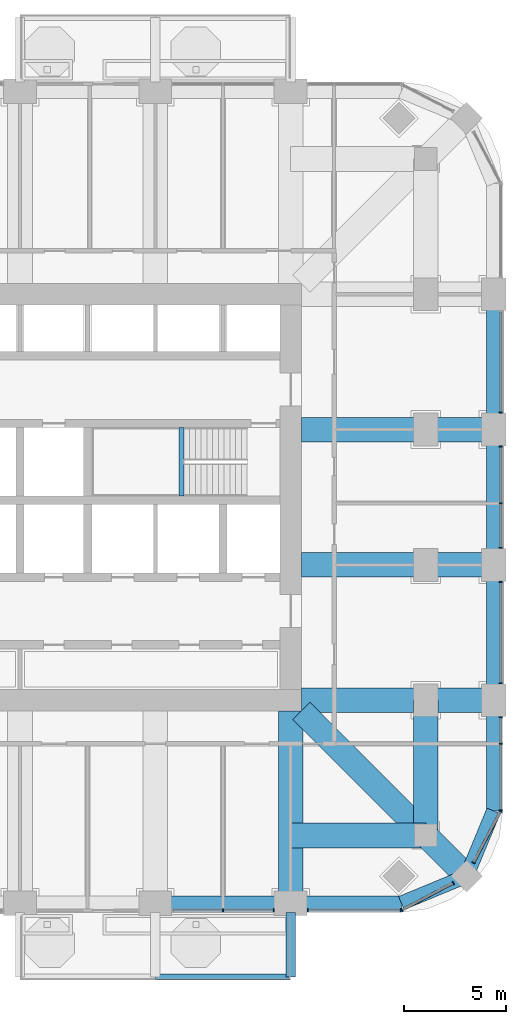
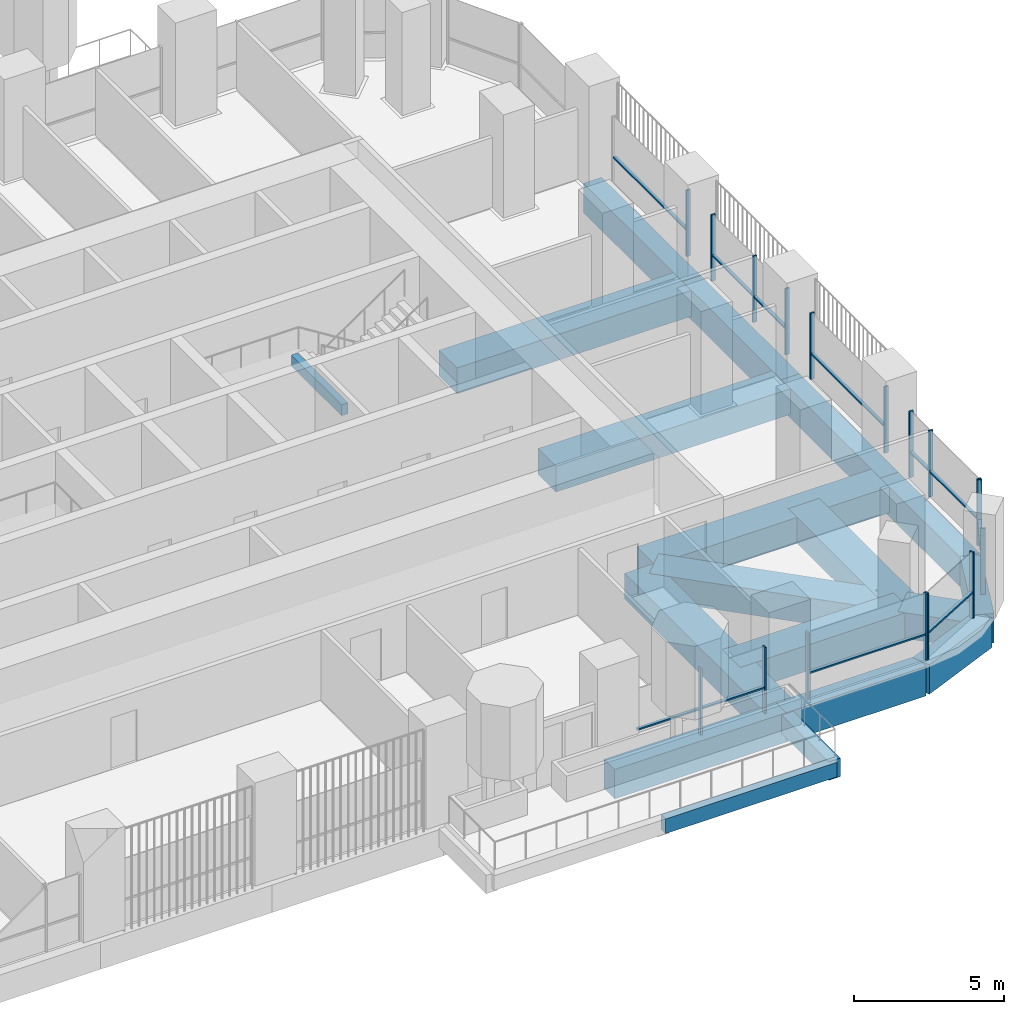
# One storey, part 5 of 19: 28 members, 19 beams, 8 elements without a shape of their own.
"""IFC4 building model written with IfcOpenShell, lengths in metres."""

from ifc_helpers import new_model, si_unit, direction, frame, origin, origin_2d, place, context, subcontext, project, spatial, rectangle, extrude, material, material_profile, profile_set, type_object, element, aggregate, save


model = new_model("IFC4")

# Units and contexts
model_context = context("Model", 3, precision=1e-05, world=origin(), true_north=direction((0.0, 1.0)))
body_context = subcontext(model_context, "Body", "Model", "MODEL_VIEW")
ifc_project = project(units=[si_unit("LENGTHUNIT", "METRE"), si_unit("AREAUNIT", "SQUARE_METRE"), si_unit("VOLUMEUNIT", "CUBIC_METRE"), si_unit("PLANEANGLEUNIT", "RADIAN"), si_unit("MASSUNIT", "GRAM", prefix="KILO")], contexts=[model_context])

# Site, building, storey
site_placement = place(None, origin())
site = spatial("IfcSite", under=ifc_project, at=site_placement, CompositionType="ELEMENT")
building_placement = place(site_placement, origin())
building = spatial("IfcBuilding", under=site, at=building_placement, Name="Cobogo Forest Laboratory Tower", CompositionType="ELEMENT")
storey_placement = place(building_placement, frame((0.0, 0.0, 172.5)))
storey = spatial("IfcBuildingStorey", under=building, at=storey_placement, Name="L39", CompositionType="ELEMENT", Elevation=172.5)

# Beams
ifc_material_1 = material(Name="Concrete HA-40 (C40/50)", Category="concrete")
ifc_material_profile_1 = material_profile(ifc_material_1, rectangle(XDim=0.449951171875, YDim=0.75, at=origin_2d()), Name="RC 450x750")
ifc_profile_set_1 = profile_set([ifc_material_profile_1], Name="Concrete HA-40 (C40/50)")
beam_type_1 = type_object("IfcBeamType", Name="Balcony cantilever beam 450x750", PredefinedType="BEAM", material=ifc_profile_set_1)
beam_1_placement = place(storey_placement, frame((39.60009765625, 2.85009765625, -0.625), z_axis=(0.0, -1.0, 0.0), x_axis=(1.0, 0.0, 0.0)))
element("IfcBeam", 1, at=beam_1_placement, inside=storey, type_object=beam_type_1, Name="CB1 BAL-S1-C3 L39", PredefinedType="BEAM", context=body_context, shape_type="SweptSolid", body=[
    extrude(rectangle(XDim=0.449951171875, YDim=0.75, at=origin_2d()), origin(), (0.0, 0.0, 1.0), 3.150146484375),
])
ifc_material_profile_2 = material_profile(ifc_material_1, rectangle(XDim=0.300048828125, YDim=0.60009765625, at=origin_2d()), Name="RC 300x600")
ifc_profile_set_2 = profile_set([ifc_material_profile_2], Name="Concrete HA-40 (C40/50)")
beam_type_2 = type_object("IfcBeamType", Name="Balcony edge beam 300x600", PredefinedType="BEAM", material=ifc_profile_set_2)
beam_2_placement = place(storey_placement, frame((33.0, -0.300048828125, -0.550048828125), z_axis=(1.0, 0.0, 0.0), x_axis=(0.0, 1.0, 0.0)))
element("IfcBeam", 2, at=beam_2_placement, inside=storey, type_object=beam_type_2, Name="BB1 BAL-S1-T2 L39", PredefinedType="BEAM", context=body_context, shape_type="SweptSolid", body=[
    extrude(rectangle(XDim=0.300048828125, YDim=0.60009765625, at=origin_2d()), origin(), (0.0, 0.0, 1.0), 6.60009765625),
])
ifc_material_profile_3 = material_profile(ifc_material_1, rectangle(XDim=0.25, YDim=0.449951171875, at=origin_2d()), Name="RC 250x450")
ifc_profile_set_3 = profile_set([ifc_material_profile_3], Name="Concrete HA-40 (C40/50)")
beam_type_3 = type_object("IfcBeamType", Name="LB1 landing beam 250x450", PredefinedType="BEAM", material=ifc_profile_set_3)
beam_3_placement = place(storey_placement, frame((34.27001953125, 23.14990234375, 1.675048828125), z_axis=(0.0, 1.0, 0.0), x_axis=(-1.0, 0.0, 0.0)))
element("IfcBeam", 3, at=beam_3_placement, inside=storey, type_object=beam_type_3, Name="Landing beam ST2 L39", PredefinedType="BEAM", context=body_context, shape_type="SweptSolid", body=[
    extrude(rectangle(XDim=0.25, YDim=0.449951171875, at=origin_2d()), origin(), (0.0, 0.0, 1.0), 3.35009765625),
])
ifc_material_profile_4 = material_profile(ifc_material_1, rectangle(XDim=1.199951171875, YDim=1.050048828125, at=origin_2d()), Name="RC 1200x1050")
ifc_profile_set_4 = profile_set([ifc_material_profile_4], Name="Concrete HA-40 (C40/50)")
beam_type_4 = type_object("IfcBeamType", Name="Laboratory floor wide beam 1200x1050", PredefinedType="BEAM", material=ifc_profile_set_4)
for number, where, z_axis, x_axis, name in (
    (4, (39.60009765625, 12.675048828125, -0.824951171875), (0.0, -1.0, 0.0), (1.0, 0.0, 0.0), "RB1 R-7-S L39"),
    (5, (40.125, 13.199951171875, -0.824951171875), (1.0, 0.0, 0.0), (0.0, 1.0, 0.0), "RB1 R-C-E L39"),
    (6, (40.125, 19.800048828125, -0.824951171875), (1.0, 0.0, 0.0), (0.0, 1.0, 0.0), "RB1 R-D-E L39"),
    (7, (40.125, 26.39990234375, -0.824951171875), (1.0, 0.0, 0.0), (0.0, 1.0, 0.0), "RB1 R-E-E L39"),
):
    element("IfcBeam", number, at=place(storey_placement, frame(where, z_axis=z_axis, x_axis=x_axis)), inside=storey, type_object=beam_type_4, Name=name, PredefinedType="BEAM", context=body_context, shape_type="SweptSolid", body=[
        extrude(rectangle(XDim=1.199951171875, YDim=1.050048828125, at=origin_2d()), origin(), (0.0, 0.0, 1.0), 9.375),
    ])
for number, where, z_axis, x_axis, name in (
    (8, (46.199951171875, 6.60009765625, -0.824951171875), (0.0, 1.0, 0.0), (-1.0, 0.0, 0.0), "RB1 G-SE-XC L39"),
    (9, (46.199951171875, 6.60009765625, -0.824951171875), (-1.0, 0.0, 0.0), (0.0, -1.0, 0.0), "RB1 G-SE-YC L39"),
):
    element("IfcBeam", number, at=place(storey_placement, frame(where, z_axis=z_axis, x_axis=x_axis)), inside=storey, type_object=beam_type_4, Name=name, PredefinedType="BEAM", context=body_context, shape_type="SweptSolid", body=[
        extrude(rectangle(XDim=1.199951171875, YDim=1.050048828125, at=origin_2d()), origin(), (0.0, 0.0, 1.0), 6.599853515625),
    ])
beam_4_placement = place(storey_placement, frame((48.181884765625, 4.617919921875, -0.824951171875), z_axis=(-0.707063230743, 0.707150328948, 0.0), x_axis=(-0.707150328948, -0.707063230743, 0.0)))
element("IfcBeam", 10, at=beam_4_placement, inside=storey, type_object=beam_type_4, Name="RB1 G-SE-D1 L39", PredefinedType="BEAM", context=body_context, shape_type="SweptSolid", body=[
    extrude(rectangle(XDim=1.199951171875, YDim=1.050048828125, at=origin_2d()), origin(), (0.0, 0.0, 1.0), 2.802978515625),
])
beam_5_placement = place(storey_placement, frame((46.199951171875, 6.60009765625, -0.824951171875), z_axis=(-0.707106781187, 0.707106781187, 0.0), x_axis=(-0.707106781187, -0.707106781187, 0.0)))
element("IfcBeam", 11, at=beam_5_placement, inside=storey, type_object=beam_type_4, Name="RB1 G-SE-D2 L39", PredefinedType="BEAM", context=body_context, shape_type="SweptSolid", body=[
    extrude(rectangle(XDim=1.199951171875, YDim=1.050048828125, at=origin_2d()), origin(), (0.0, 0.0, 1.0), 8.59130859375),
])

# Curtain wall, members
ifc_material_2 = material(Name="Aluminium curtain wall", Category="aluminium")
curtain_wall_type = type_object("IfcCurtainWallType", Name="CW-2 unitised curtain wall, solar control glazing, laboratory floors zones C and D", PredefinedType="USERDEFINED", material=ifc_material_2)
curtain_wall_1_placement = place(storey_placement, origin())
curtain_wall_1 = element("IfcCurtainWall", 12, at=curtain_wall_1_placement, inside=storey, type_object=curtain_wall_type, Name="Curtain wall 05 L39", ObjectType="UNITISED CURTAIN WALL", PredefinedType="USERDEFINED")
ifc_material_3 = material(Name="Aluminium mullion", Category="aluminium")
ifc_material_profile_5 = material_profile(ifc_material_3, rectangle(XDim=0.06005859375, YDim=0.159912109375, at=origin_2d()), Name="AL 60x160")
ifc_profile_set_5 = profile_set([ifc_material_profile_5], Name="Aluminium mullion")
member_type_1 = type_object("IfcMemberType", Name="MU-1 aluminium mullion 60x160", PredefinedType="MULLION", material=ifc_profile_set_5)
member_1_placement = place(storey_placement, frame((36.300048828125, 2.949951171875, 0.0), z_axis=(0.0, 0.0, 1.0), x_axis=(1.0, 0.0, 0.0)))
member_1 = element("IfcMember", 13, at=member_1_placement, type_object=member_type_1, Name="CW-2 mullion 2", PredefinedType="MULLION", context=body_context, shape_type="SweptSolid", body=[
    extrude(rectangle(XDim=0.06005859375, YDim=0.159912109375, at=origin_2d()), origin(), (0.0, 0.0, 1.0), 2.699951171875),
])
member_2_placement = place(storey_placement, frame((38.77001953125, 2.949951171875, 0.0), z_axis=(0.0, 0.0, 1.0), x_axis=(1.0, 0.0, 0.0)))
member_2 = element("IfcMember", 14, at=member_2_placement, type_object=member_type_1, Name="CW-2 mullion 3", PredefinedType="MULLION", context=body_context, shape_type="SweptSolid", body=[
    extrude(rectangle(XDim=0.06005859375, YDim=0.159912109375, at=origin_2d()), origin(), (0.0, 0.0, 1.0), 2.699951171875),
])

curtain_wall_2_placement = place(storey_placement, origin())
curtain_wall_2 = element("IfcCurtainWall", 15, at=curtain_wall_2_placement, inside=storey, type_object=curtain_wall_type, Name="Curtain wall 06 L39", ObjectType="UNITISED CURTAIN WALL", PredefinedType="USERDEFINED")
member_3_placement = place(storey_placement, frame((40.429931640625, 2.949951171875, 0.0), z_axis=(0.0, 0.0, 1.0), x_axis=(1.0, 0.0, 0.0)))
member_3 = element("IfcMember", 16, at=member_3_placement, type_object=member_type_1, Name="CW-2 mullion 1", PredefinedType="MULLION", context=body_context, shape_type="SweptSolid", body=[
    extrude(rectangle(XDim=0.06005859375, YDim=0.159912109375, at=origin_2d()), origin(), (0.0, 0.0, 1.0), 2.699951171875),
])
member_4_placement = place(storey_placement, frame((44.969970703125, 2.949951171875, 0.0), z_axis=(0.0, 0.0, 1.0), x_axis=(1.0, 0.0, 0.0)))
member_4 = element("IfcMember", 17, at=member_4_placement, type_object=member_type_1, Name="CW-2 mullion 2", PredefinedType="MULLION", context=body_context, shape_type="SweptSolid", body=[
    extrude(rectangle(XDim=0.06005859375, YDim=0.159912109375, at=origin_2d()), origin(), (0.0, 0.0, 1.0), 2.699951171875),
])

curtain_wall_3_placement = place(storey_placement, origin())
curtain_wall_3 = element("IfcCurtainWall", 18, at=curtain_wall_3_placement, inside=storey, type_object=curtain_wall_type, Name="Curtain wall 07 L39", ObjectType="UNITISED CURTAIN WALL", PredefinedType="USERDEFINED")
member_5_placement = place(storey_placement, frame((45.026611328125, 2.9638671875, 0.0), z_axis=(0.0, 0.0, 1.0), x_axis=(0.885686484356, 0.464283804832, 0.0)))
member_5 = element("IfcMember", 19, at=member_5_placement, type_object=member_type_1, Name="CW-2 mullion 1", PredefinedType="MULLION", context=body_context, shape_type="SweptSolid", body=[
    extrude(rectangle(XDim=0.06005859375, YDim=0.159912109375, at=origin_2d()), origin(), (0.0, 0.0, 1.0), 2.699951171875),
])
member_6_placement = place(storey_placement, frame((47.5244140625, 4.2734375, 0.0), z_axis=(0.0, 0.0, 1.0), x_axis=(0.885686484356, 0.464283804832, 0.0)))
member_6 = element("IfcMember", 20, at=member_6_placement, type_object=member_type_1, Name="CW-2 mullion 2", PredefinedType="MULLION", context=body_context, shape_type="SweptSolid", body=[
    extrude(rectangle(XDim=0.06005859375, YDim=0.159912109375, at=origin_2d()), origin(), (0.0, 0.0, 1.0), 2.699951171875),
])

curtain_wall_4_placement = place(storey_placement, origin())
curtain_wall_4 = element("IfcCurtainWall", 21, at=curtain_wall_4_placement, inside=storey, type_object=curtain_wall_type, Name="Curtain wall 08 L39", ObjectType="UNITISED CURTAIN WALL", PredefinedType="USERDEFINED")
member_7_placement = place(storey_placement, frame((48.526611328125, 5.275634765625, 0.0), z_axis=(0.0, 0.0, 1.0), x_axis=(0.464283804832, 0.885686484356, 0.0)))
member_7 = element("IfcMember", 22, at=member_7_placement, type_object=member_type_1, Name="CW-2 mullion 1", PredefinedType="MULLION", context=body_context, shape_type="SweptSolid", body=[
    extrude(rectangle(XDim=0.06005859375, YDim=0.159912109375, at=origin_2d()), origin(), (0.0, 0.0, 1.0), 2.699951171875),
])
member_8_placement = place(storey_placement, frame((49.836181640625, 7.7734375, 0.0), z_axis=(0.0, 0.0, 1.0), x_axis=(0.464283804832, 0.885686484356, 0.0)))
member_8 = element("IfcMember", 23, at=member_8_placement, type_object=member_type_1, Name="CW-2 mullion 2", PredefinedType="MULLION", context=body_context, shape_type="SweptSolid", body=[
    extrude(rectangle(XDim=0.06005859375, YDim=0.159912109375, at=origin_2d()), origin(), (0.0, 0.0, 1.0), 2.699951171875),
])

curtain_wall_5_placement = place(storey_placement, origin())
curtain_wall_5 = element("IfcCurtainWall", 24, at=curtain_wall_5_placement, inside=storey, type_object=curtain_wall_type, Name="Curtain wall 09 L39", ObjectType="UNITISED CURTAIN WALL", PredefinedType="USERDEFINED")
member_9_placement = place(storey_placement, frame((49.85009765625, 7.830078125, 0.0), z_axis=(0.0, 0.0, 1.0), x_axis=(0.0, 1.0, 0.0)))
member_9 = element("IfcMember", 25, at=member_9_placement, type_object=member_type_1, Name="CW-2 mullion 1", PredefinedType="MULLION", context=body_context, shape_type="SweptSolid", body=[
    extrude(rectangle(XDim=0.06005859375, YDim=0.159912109375, at=origin_2d()), origin(), (0.0, 0.0, 1.0), 2.699951171875),
])
member_10_placement = place(storey_placement, frame((49.85009765625, 11.074951171875, 0.0), z_axis=(0.0, 0.0, 1.0), x_axis=(0.0, 1.0, 0.0)))
member_10 = element("IfcMember", 26, at=member_10_placement, type_object=member_type_1, Name="CW-2 mullion 2", PredefinedType="MULLION", context=body_context, shape_type="SweptSolid", body=[
    extrude(rectangle(XDim=0.06005859375, YDim=0.159912109375, at=origin_2d()), origin(), (0.0, 0.0, 1.0), 2.699951171875),
])
member_11_placement = place(storey_placement, frame((49.85009765625, 12.3701171875, 0.0), z_axis=(0.0, 0.0, 1.0), x_axis=(0.0, 1.0, 0.0)))
member_11 = element("IfcMember", 27, at=member_11_placement, type_object=member_type_1, Name="CW-2 mullion 3", PredefinedType="MULLION", context=body_context, shape_type="SweptSolid", body=[
    extrude(rectangle(XDim=0.06005859375, YDim=0.159912109375, at=origin_2d()), origin(), (0.0, 0.0, 1.0), 2.699951171875),
])

curtain_wall_6_placement = place(storey_placement, origin())
curtain_wall_6 = element("IfcCurtainWall", 28, at=curtain_wall_6_placement, inside=storey, type_object=curtain_wall_type, Name="Curtain wall 10 L39", ObjectType="UNITISED CURTAIN WALL", PredefinedType="USERDEFINED")
member_12_placement = place(storey_placement, frame((49.85009765625, 14.030029296875, 0.0), z_axis=(0.0, 0.0, 1.0), x_axis=(0.0, 1.0, 0.0)))
member_12 = element("IfcMember", 29, at=member_12_placement, type_object=member_type_1, Name="CW-2 mullion 1", PredefinedType="MULLION", context=body_context, shape_type="SweptSolid", body=[
    extrude(rectangle(XDim=0.06005859375, YDim=0.159912109375, at=origin_2d()), origin(), (0.0, 0.0, 1.0), 2.699951171875),
])
member_13_placement = place(storey_placement, frame((49.85009765625, 18.969970703125, 0.0), z_axis=(0.0, 0.0, 1.0), x_axis=(0.0, 1.0, 0.0)))
member_13 = element("IfcMember", 30, at=member_13_placement, type_object=member_type_1, Name="CW-2 mullion 2", PredefinedType="MULLION", context=body_context, shape_type="SweptSolid", body=[
    extrude(rectangle(XDim=0.06005859375, YDim=0.159912109375, at=origin_2d()), origin(), (0.0, 0.0, 1.0), 2.699951171875),
])

curtain_wall_7_placement = place(storey_placement, origin())
curtain_wall_7 = element("IfcCurtainWall", 31, at=curtain_wall_7_placement, inside=storey, type_object=curtain_wall_type, Name="Curtain wall 11 L39", ObjectType="UNITISED CURTAIN WALL", PredefinedType="USERDEFINED")
member_14_placement = place(storey_placement, frame((49.85009765625, 20.6298828125, 0.0), z_axis=(0.0, 0.0, 1.0), x_axis=(0.0, 1.0, 0.0)))
member_14 = element("IfcMember", 32, at=member_14_placement, type_object=member_type_1, Name="CW-2 mullion 1", PredefinedType="MULLION", context=body_context, shape_type="SweptSolid", body=[
    extrude(rectangle(XDim=0.06005859375, YDim=0.159912109375, at=origin_2d()), origin(), (0.0, 0.0, 1.0), 2.699951171875),
])
member_15_placement = place(storey_placement, frame((49.85009765625, 22.800048828125, 0.0), z_axis=(0.0, 0.0, 1.0), x_axis=(0.0, 1.0, 0.0)))
member_15 = element("IfcMember", 33, at=member_15_placement, type_object=member_type_1, Name="CW-2 mullion 2", PredefinedType="MULLION", context=body_context, shape_type="SweptSolid", body=[
    extrude(rectangle(XDim=0.06005859375, YDim=0.159912109375, at=origin_2d()), origin(), (0.0, 0.0, 1.0), 2.699951171875),
])
member_16_placement = place(storey_placement, frame((49.85009765625, 25.570068359375, 0.0), z_axis=(0.0, 0.0, 1.0), x_axis=(0.0, 1.0, 0.0)))
member_16 = element("IfcMember", 34, at=member_16_placement, type_object=member_type_1, Name="CW-2 mullion 3", PredefinedType="MULLION", context=body_context, shape_type="SweptSolid", body=[
    extrude(rectangle(XDim=0.06005859375, YDim=0.159912109375, at=origin_2d()), origin(), (0.0, 0.0, 1.0), 2.699951171875),
])

# Curtain wall, member
curtain_wall_8_placement = place(storey_placement, origin())
curtain_wall_8 = element("IfcCurtainWall", 35, at=curtain_wall_8_placement, inside=storey, type_object=curtain_wall_type, Name="Curtain wall 12 L39", ObjectType="UNITISED CURTAIN WALL", PredefinedType="USERDEFINED")
member_17_placement = place(storey_placement, frame((49.85009765625, 27.22998046875, 0.0), z_axis=(0.0, 0.0, 1.0), x_axis=(0.0, 1.0, 0.0)))
member_17 = element("IfcMember", 36, at=member_17_placement, type_object=member_type_1, Name="CW-2 mullion 1", PredefinedType="MULLION", context=body_context, shape_type="SweptSolid", body=[
    extrude(rectangle(XDim=0.06005859375, YDim=0.159912109375, at=origin_2d()), origin(), (0.0, 0.0, 1.0), 2.699951171875),
])

# Beams
ifc_material_profile_6 = material_profile(ifc_material_1, rectangle(XDim=0.699951171875, YDim=1.199951171875, at=origin_2d()), Name="RC 700x1200")
ifc_profile_set_6 = profile_set([ifc_material_profile_6], Name="Concrete HA-40 (C40/50)")
beam_type_5 = type_object("IfcBeamType", Name="Perimeter edge beam 700x1200", PredefinedType="BEAM", material=ifc_profile_set_6)
for number, where, z_axis, x_axis, name in (
    (37, (33.0, 3.300048828125, -0.89990234375), (1.0, 0.0, 0.0), (0.0, 1.0, 0.0), "EB1 E-S4 L39"),
    (38, (49.5, 13.199951171875, -0.89990234375), (0.0, 1.0, 0.0), (-1.0, 0.0, 0.0), "EB1 E-E1 L39"),
):
    element("IfcBeam", number, at=place(storey_placement, frame(where, z_axis=z_axis, x_axis=x_axis)), inside=storey, type_object=beam_type_5, Name=name, PredefinedType="BEAM", context=body_context, shape_type="SweptSolid", body=[
        extrude(rectangle(XDim=0.699951171875, YDim=1.199951171875, at=origin_2d()), origin(), (0.0, 0.0, 1.0), 6.60009765625),
    ])
beam_6_placement = place(storey_placement, frame((49.5, 19.800048828125, -0.89990234375), z_axis=(0.0, 1.0, 0.0), x_axis=(-1.0, 0.0, 0.0)))
element("IfcBeam", 39, at=beam_6_placement, inside=storey, type_object=beam_type_5, Name="EB1 E-E2 L39", PredefinedType="BEAM", context=body_context, shape_type="SweptSolid", body=[
    extrude(rectangle(XDim=0.699951171875, YDim=1.199951171875, at=origin_2d()), origin(), (0.0, 0.0, 1.0), 6.599853515625),
])
beam_7_placement = place(storey_placement, frame((49.5, 26.39990234375, -0.89990234375), z_axis=(0.0, 1.0, 0.0), x_axis=(-1.0, 0.0, 0.0)))
element("IfcBeam", 40, at=beam_7_placement, inside=storey, type_object=beam_type_5, Name="EB1 E-E3 L39", PredefinedType="BEAM", context=body_context, shape_type="SweptSolid", body=[
    extrude(rectangle(XDim=0.699951171875, YDim=1.199951171875, at=origin_2d()), origin(), (0.0, 0.0, 1.0), 6.60009765625),
])
beam_8_placement = place(storey_placement, frame((39.60009765625, 3.300048828125, -0.89990234375), z_axis=(1.0, 0.0, 0.0), x_axis=(0.0, 1.0, 0.0)))
element("IfcBeam", 41, at=beam_8_placement, inside=storey, type_object=beam_type_5, Name="EB1 E-SES1 L39", PredefinedType="BEAM", context=body_context, shape_type="SweptSolid", body=[
    extrude(rectangle(XDim=0.699951171875, YDim=1.199951171875, at=origin_2d()), origin(), (0.0, 0.0, 1.0), 5.39990234375),
])
beam_9_placement = place(storey_placement, frame((45.0, 3.300048828125, -0.89990234375), z_axis=(0.923890694089, 0.382656484822, 0.0), x_axis=(-0.382656484822, 0.923890694089, 0.0)))
element("IfcBeam", 42, at=beam_9_placement, inside=storey, type_object=beam_type_5, Name="EB1 E-SES2 L39", PredefinedType="BEAM", context=body_context, shape_type="SweptSolid", body=[
    extrude(rectangle(XDim=0.699951171875, YDim=1.199951171875, at=origin_2d()), origin(), (0.0, 0.0, 1.0), 3.444091796875),
])
beam_10_placement = place(storey_placement, frame((49.5, 13.199951171875, -0.89990234375), z_axis=(0.0, -1.0, 0.0), x_axis=(1.0, 0.0, 0.0)))
element("IfcBeam", 43, at=beam_10_placement, inside=storey, type_object=beam_type_5, Name="EB1 E-SEE1 L39", PredefinedType="BEAM", context=body_context, shape_type="SweptSolid", body=[
    extrude(rectangle(XDim=0.699951171875, YDim=1.199951171875, at=origin_2d()), origin(), (0.0, 0.0, 1.0), 5.39990234375),
])
beam_11_placement = place(storey_placement, frame((49.5, 7.800048828125, -0.89990234375), z_axis=(-0.382691928466, -0.923876013265, 0.0), x_axis=(0.923876013265, -0.382691928466, 0.0)))
element("IfcBeam", 44, at=beam_11_placement, inside=storey, type_object=beam_type_5, Name="EB1 E-SEE2 L39", PredefinedType="BEAM", context=body_context, shape_type="SweptSolid", body=[
    extrude(rectangle(XDim=0.699951171875, YDim=1.199951171875, at=origin_2d()), origin(), (0.0, 0.0, 1.0), 3.4443359375),
])

# Member
ifc_material_4 = material(Name="Aluminium transom", Category="aluminium")
ifc_material_profile_7 = material_profile(ifc_material_4, rectangle(XDim=0.1201171875, YDim=0.06005859375, at=origin_2d()), Name="AL 60x120")
ifc_profile_set_7 = profile_set([ifc_material_profile_7], Name="Aluminium transom")
member_type_2 = type_object("IfcMemberType", Name="TR-1 aluminium transom 60x120", PredefinedType="USERDEFINED", material=ifc_profile_set_7)
member_18_placement = place(storey_placement, frame((33.860107421875, 2.949951171875, 1.050048828125), z_axis=(1.0, 0.0, 0.0), x_axis=(0.0, 1.0, 0.0)))
member_18 = element("IfcMember", 45, at=member_18_placement, type_object=member_type_2, Name="CW-2 transom 1.1", ObjectType="TRANSOM", PredefinedType="USERDEFINED", context=body_context, shape_type="SweptSolid", body=[
    extrude(rectangle(XDim=0.1201171875, YDim=0.06005859375, at=origin_2d()), origin(), (0.0, 0.0, 1.0), 2.409912109375),
])

member_19_placement = place(storey_placement, frame((36.330078125, 2.949951171875, 1.050048828125), z_axis=(1.0, 0.0, 0.0), x_axis=(0.0, 1.0, 0.0)))
member_19 = element("IfcMember", 46, at=member_19_placement, type_object=member_type_2, Name="CW-2 transom 2.1", ObjectType="TRANSOM", PredefinedType="USERDEFINED", context=body_context, shape_type="SweptSolid", body=[
    extrude(rectangle(XDim=0.1201171875, YDim=0.06005859375, at=origin_2d()), origin(), (0.0, 0.0, 1.0), 2.409912109375),
])

aggregate(curtain_wall_1, [member_1, member_2, member_18, member_19])

member_20_placement = place(storey_placement, frame((40.4599609375, 2.949951171875, 1.050048828125), z_axis=(1.0, 0.0, 0.0), x_axis=(0.0, 1.0, 0.0)))
member_20 = element("IfcMember", 47, at=member_20_placement, type_object=member_type_2, Name="CW-2 transom 1.1", ObjectType="TRANSOM", PredefinedType="USERDEFINED", context=body_context, shape_type="SweptSolid", body=[
    extrude(rectangle(XDim=0.1201171875, YDim=0.06005859375, at=origin_2d()), origin(), (0.0, 0.0, 1.0), 4.47998046875),
])

aggregate(curtain_wall_2, [member_3, member_4, member_20])

member_21_placement = place(storey_placement, frame((45.05322265625, 2.977783203125, 1.050048828125), z_axis=(0.885646224078, 0.464360598863, 0.0), x_axis=(-0.464360598863, 0.885646224078, 0.0)))
member_21 = element("IfcMember", 48, at=member_21_placement, type_object=member_type_2, Name="CW-2 transom 1.1", ObjectType="TRANSOM", PredefinedType="USERDEFINED", context=body_context, shape_type="SweptSolid", body=[
    extrude(rectangle(XDim=0.1201171875, YDim=0.06005859375, at=origin_2d()), origin(), (0.0, 0.0, 1.0), 2.76025390625),
])

aggregate(curtain_wall_3, [member_5, member_6, member_21])

member_22_placement = place(storey_placement, frame((48.54052734375, 5.302001953125, 1.050048828125), z_axis=(0.464254846591, 0.88570166389, 0.0), x_axis=(-0.88570166389, 0.464254846591, 0.0)))
member_22 = element("IfcMember", 49, at=member_22_placement, type_object=member_type_2, Name="CW-2 transom 1.1", ObjectType="TRANSOM", PredefinedType="USERDEFINED", context=body_context, shape_type="SweptSolid", body=[
    extrude(rectangle(XDim=0.1201171875, YDim=0.06005859375, at=origin_2d()), origin(), (0.0, 0.0, 1.0), 2.76025390625),
])

aggregate(curtain_wall_4, [member_7, member_8, member_22])

member_23_placement = place(storey_placement, frame((49.85009765625, 7.860107421875, 1.050048828125), z_axis=(0.0, 1.0, 0.0), x_axis=(-1.0, 0.0, 0.0)))
member_23 = element("IfcMember", 50, at=member_23_placement, type_object=member_type_2, Name="CW-2 transom 1.1", ObjectType="TRANSOM", PredefinedType="USERDEFINED", context=body_context, shape_type="SweptSolid", body=[
    extrude(rectangle(XDim=0.1201171875, YDim=0.06005859375, at=origin_2d()), origin(), (0.0, 0.0, 1.0), 3.184814453125),
])

member_24_placement = place(storey_placement, frame((49.85009765625, 11.10498046875, 1.050048828125), z_axis=(0.0, 1.0, 0.0), x_axis=(-1.0, 0.0, 0.0)))
member_24 = element("IfcMember", 51, at=member_24_placement, type_object=member_type_2, Name="CW-2 transom 2.1", ObjectType="TRANSOM", PredefinedType="USERDEFINED", context=body_context, shape_type="SweptSolid", body=[
    extrude(rectangle(XDim=0.1201171875, YDim=0.06005859375, at=origin_2d()), origin(), (0.0, 0.0, 1.0), 1.235107421875),
])

aggregate(curtain_wall_5, [member_9, member_10, member_11, member_23, member_24])

member_25_placement = place(storey_placement, frame((49.85009765625, 14.06005859375, 1.050048828125), z_axis=(0.0, 1.0, 0.0), x_axis=(-1.0, 0.0, 0.0)))
member_25 = element("IfcMember", 52, at=member_25_placement, type_object=member_type_2, Name="CW-2 transom 1.1", ObjectType="TRANSOM", PredefinedType="USERDEFINED", context=body_context, shape_type="SweptSolid", body=[
    extrude(rectangle(XDim=0.1201171875, YDim=0.06005859375, at=origin_2d()), origin(), (0.0, 0.0, 1.0), 4.8798828125),
])

aggregate(curtain_wall_6, [member_12, member_13, member_25])

member_26_placement = place(storey_placement, frame((49.85009765625, 20.659912109375, 1.050048828125), z_axis=(0.0, 1.0, 0.0), x_axis=(-1.0, 0.0, 0.0)))
member_26 = element("IfcMember", 53, at=member_26_placement, type_object=member_type_2, Name="CW-2 transom 1.1", ObjectType="TRANSOM", PredefinedType="USERDEFINED", context=body_context, shape_type="SweptSolid", body=[
    extrude(rectangle(XDim=0.1201171875, YDim=0.06005859375, at=origin_2d()), origin(), (0.0, 0.0, 1.0), 2.110107421875),
])

member_27_placement = place(storey_placement, frame((49.85009765625, 22.830078125, 1.050048828125), z_axis=(0.0, 1.0, 0.0), x_axis=(-1.0, 0.0, 0.0)))
member_27 = element("IfcMember", 54, at=member_27_placement, type_object=member_type_2, Name="CW-2 transom 2.1", ObjectType="TRANSOM", PredefinedType="USERDEFINED", context=body_context, shape_type="SweptSolid", body=[
    extrude(rectangle(XDim=0.1201171875, YDim=0.06005859375, at=origin_2d()), origin(), (0.0, 0.0, 1.0), 2.7099609375),
])

aggregate(curtain_wall_7, [member_14, member_15, member_16, member_26, member_27])

member_28_placement = place(storey_placement, frame((49.85009765625, 27.260009765625, 1.050048828125), z_axis=(0.0, 1.0, 0.0), x_axis=(-1.0, 0.0, 0.0)))
member_28 = element("IfcMember", 55, at=member_28_placement, type_object=member_type_2, Name="CW-2 transom 1.1", ObjectType="TRANSOM", PredefinedType="USERDEFINED", context=body_context, shape_type="SweptSolid", body=[
    extrude(rectangle(XDim=0.1201171875, YDim=0.06005859375, at=origin_2d()), origin(), (0.0, 0.0, 1.0), 4.8798828125),
])

aggregate(curtain_wall_8, [member_17, member_28])

save(model, "model.ifc")
